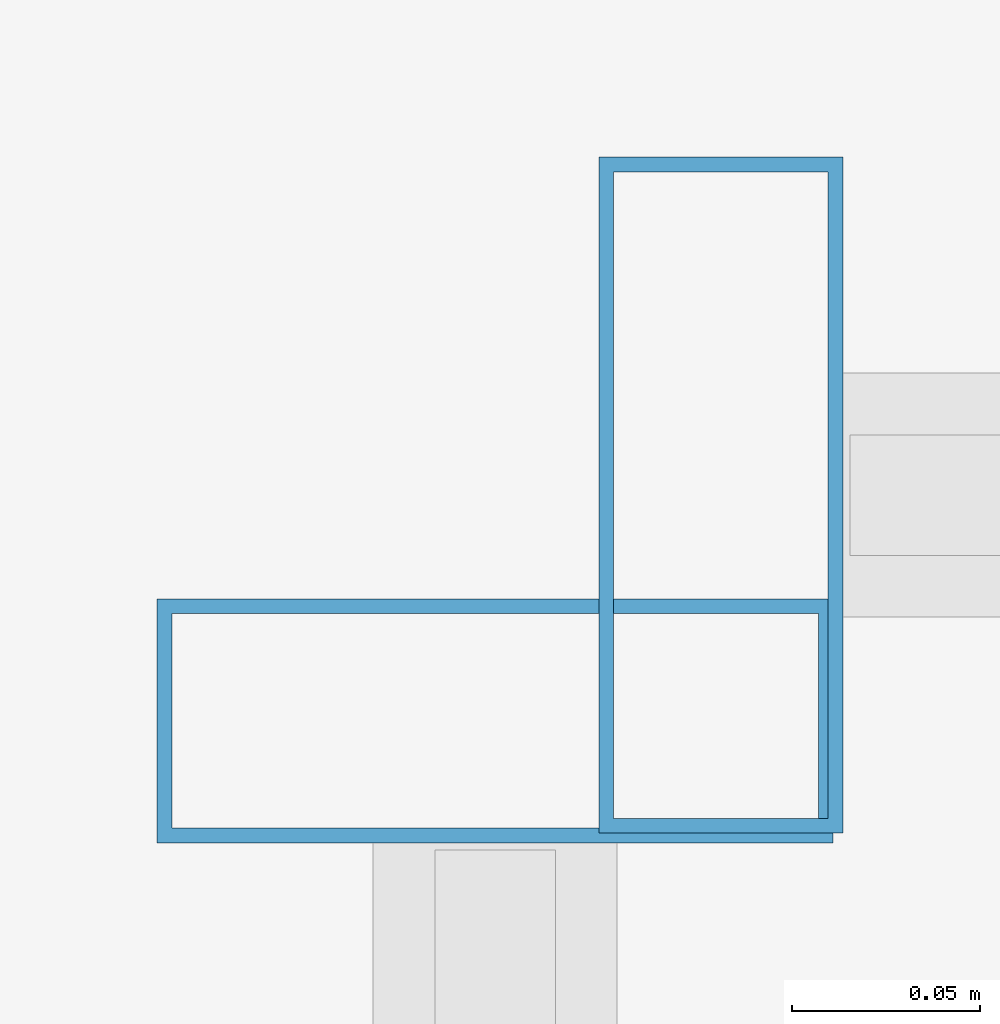
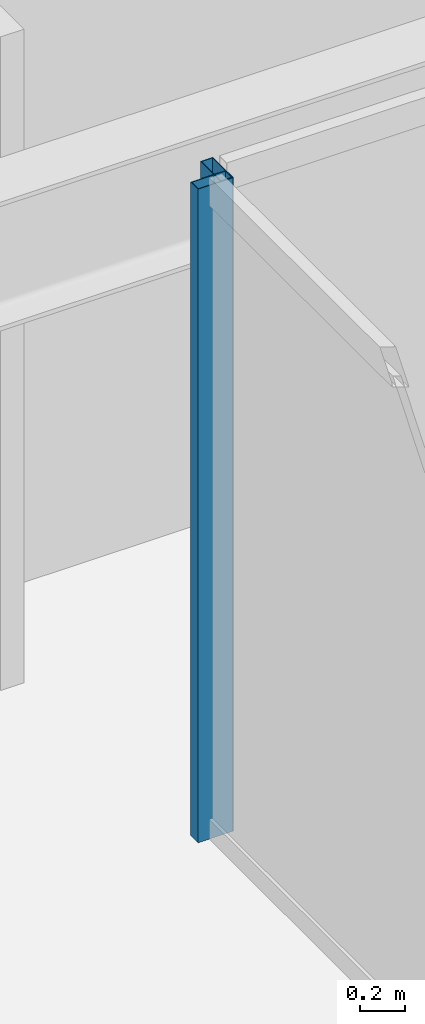
# One storey, part 11 of 36: 2 members, 2 elements without a shape of their own.
"""IFC4 building model written with IfcOpenShell, lengths in metres."""

from ifc_helpers import new_model, si_unit, direction, frame, origin, origin_2d, place, context, subcontext, project, spatial, hollow_rectangle, extrude, material, material_profile, profile_set, type_object, element, aggregate, save


model = new_model("IFC4")

# Units and contexts
model_context = context("Model", 3, precision=1e-05, world=origin(), true_north=direction((0.0, 1.0)))
body_context = subcontext(model_context, "Body", "Model", "MODEL_VIEW")
ifc_project = project(units=[si_unit("LENGTHUNIT", "METRE"), si_unit("AREAUNIT", "SQUARE_METRE"), si_unit("VOLUMEUNIT", "CUBIC_METRE"), si_unit("PLANEANGLEUNIT", "RADIAN"), si_unit("MASSUNIT", "GRAM", prefix="KILO")], contexts=[model_context])

# Site, building, storey
site_placement = place(None, origin())
site = spatial("IfcSite", under=ifc_project, at=site_placement, CompositionType="ELEMENT")
building_placement = place(site_placement, origin())
building = spatial("IfcBuilding", under=site, at=building_placement, Name="Saevonmaru Cultural Tower", CompositionType="ELEMENT")
storey_placement = place(building_placement, frame((0.0, 0.0, 152.39990234375)))
storey = spatial("IfcBuildingStorey", under=building, at=storey_placement, Name="L33", CompositionType="ELEMENT", Elevation=152.39990234375)

# Curtain wall, member
ifc_material = material(Name="Satin Bronze Anodised Aluminium", Category="aluminium")
curtain_wall_type = type_object("IfcCurtainWallType", Name="CW-ATR-GLZ", PredefinedType="NOTDEFINED", material=ifc_material)
curtain_wall_1_placement = place(storey_placement, origin())
curtain_wall_1 = element("IfcCurtainWall", 1, at=curtain_wall_1_placement, inside=storey, type_object=curtain_wall_type, Name="L33 Vertical Atrium Glazed Smoke Screen 3", PredefinedType="NOTDEFINED")
ifc_material_profile = material_profile(ifc_material, hollow_rectangle(XDim=0.06494140625, YDim=0.179931640625, WallThickness=0.00390625, at=origin_2d()), Name="ALU-MULL-180x65x4")
ifc_profile_set = profile_set([ifc_material_profile], Name="Satin Bronze Anodised Aluminium")
member_type = type_object("IfcMemberType", Name="ML-CW-INT-180x65", PredefinedType="MULLION", material=ifc_profile_set)
member_1_placement = place(storey_placement, frame((24.110107421875, 37.22998046875, 0.0), z_axis=(0.0, 0.0, 1.0), x_axis=(-1.0, 0.0, 0.0)))
member_1 = element("IfcMember", 2, at=member_1_placement, type_object=member_type, Name="CW-ATR-L33-3 mullion 2", PredefinedType="MULLION", context=body_context, shape_type="SweptSolid", body=[
    extrude(hollow_rectangle(XDim=0.06494140625, YDim=0.179931640625, WallThickness=0.00390625, at=origin_2d()), origin(), (0.0, 0.0, 1.0), 3.550048828125),
])
aggregate(curtain_wall_1, [member_1])

curtain_wall_2_placement = place(storey_placement, origin())
curtain_wall_2 = element("IfcCurtainWall", 3, at=curtain_wall_2_placement, inside=storey, type_object=curtain_wall_type, Name="L33 Vertical Atrium Glazed Smoke Screen 4", PredefinedType="NOTDEFINED")
member_2_placement = place(storey_placement, frame((24.050048828125, 37.169921875, 0.0), z_axis=(0.0, 0.0, 1.0), x_axis=(0.0, -1.0, 0.0)))
member_2 = element("IfcMember", 4, at=member_2_placement, type_object=member_type, Name="CW-ATR-L33-4 mullion 1", PredefinedType="MULLION", context=body_context, shape_type="SweptSolid", body=[
    extrude(hollow_rectangle(XDim=0.06494140625, YDim=0.179931640625, WallThickness=0.00390625, at=origin_2d()), origin(), (0.0, 0.0, 1.0), 3.550048828125),
])
aggregate(curtain_wall_2, [member_2])

save(model, "model.ifc")
